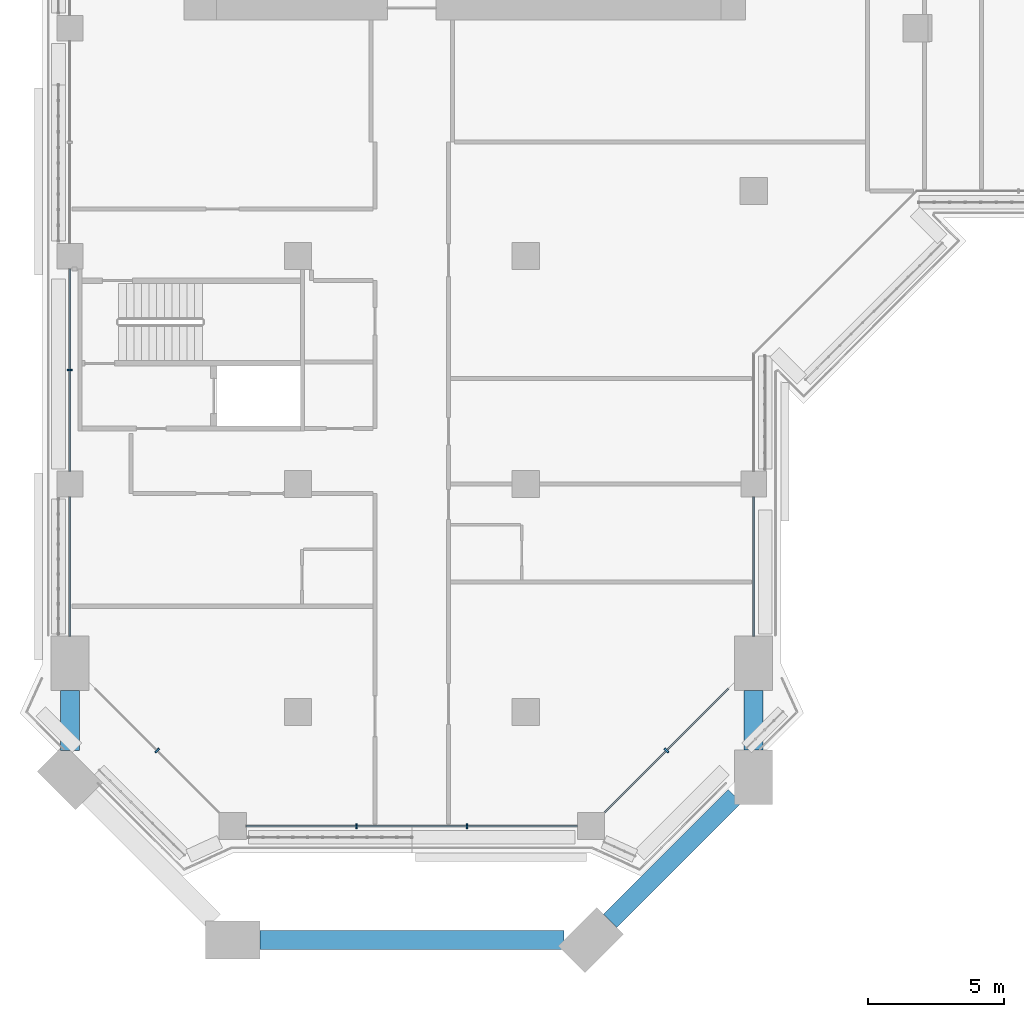
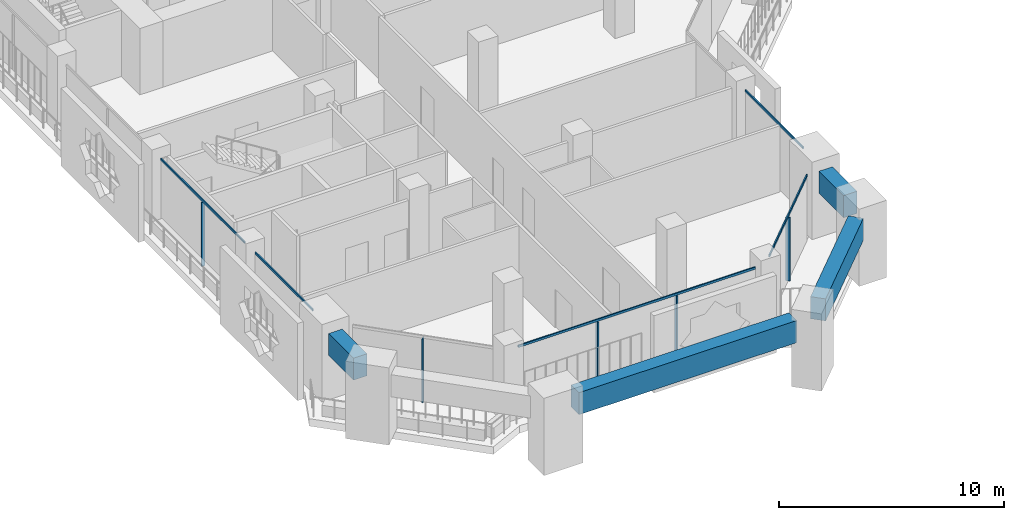
# One storey, part 2 of 23: 10 members, 4 beams, 5 elements without a shape of their own.
"""IFC4 building model written with IfcOpenShell, lengths in metres."""

from ifc_helpers import new_model, si_unit, direction, frame, origin, origin_2d, place, context, subcontext, project, spatial, rectangle, extrude, material, layer, layer_set, material_profile, profile_set, type_object, element, aggregate, save


model = new_model("IFC4")

# Units and contexts
model_context = context("Model", 3, precision=1e-05, world=origin(), true_north=direction((0.0, 1.0)))
body_context = subcontext(model_context, "Body", "Model", "MODEL_VIEW")
ifc_project = project(units=[si_unit("LENGTHUNIT", "METRE"), si_unit("AREAUNIT", "SQUARE_METRE"), si_unit("VOLUMEUNIT", "CUBIC_METRE"), si_unit("PLANEANGLEUNIT", "RADIAN"), si_unit("MASSUNIT", "GRAM", prefix="KILO")], contexts=[model_context])

# Site, building, storey
site_placement = place(None, origin())
site = spatial("IfcSite", under=ifc_project, at=site_placement, CompositionType="ELEMENT")
building_placement = place(site_placement, origin())
building = spatial("IfcBuilding", under=site, at=building_placement, Name="Kawkab Arch Medical Tower", CompositionType="ELEMENT")
storey_placement = place(building_placement, frame((0.0, 0.0, 175.199951171875)))
storey = spatial("IfcBuildingStorey", under=building, at=storey_placement, Name="L40", CompositionType="ELEMENT", Elevation=175.199951171875)

# Curtain wall, member
ifc_material_1 = material(Name="Bronze anodised aluminium curtain wall frame", Category="aluminium")
ifc_layer_1 = layer(ifc_material_1, 0.159912109375)
ifc_layer_set_1 = layer_set([ifc_layer_1], Name="Bronze anodised aluminium curtain wall frame")
curtain_wall_type_1 = type_object("IfcCurtainWallType", Name="CW1 ward curtain wall", PredefinedType="NOTDEFINED", material=ifc_layer_set_1)
placement = place(storey_placement, origin())
curtain_wall_1 = element("IfcCurtainWall", 1, at=placement, inside=storey, type_object=curtain_wall_type_1, Name="CW1 Ward curtain wall R01", PredefinedType="NOTDEFINED")
ifc_material_2 = material(Name="Bronze anodised aluminium curtain wall frame", Category="aluminium")
ifc_material_profile_1 = material_profile(ifc_material_2, rectangle(XDim=0.179931640625, YDim=0.06005859375, at=origin_2d()), Name="AL 60x180")
ifc_profile_set_1 = profile_set([ifc_material_profile_1], Name="Bronze anodised aluminium curtain wall frame")
member_type_1 = type_object("IfcMemberType", Name="CW1 mullion 60 x 180", PredefinedType="MULLION", material=ifc_profile_set_1)
member_1_placement = place(storey_placement, frame((0.0, -37.800048828125, 0.0), z_axis=(0.0, 0.0, 1.0), x_axis=(1.0, 0.0, 0.0)))
member_1 = element("IfcMember", 2, at=member_1_placement, type_object=member_type_1, Name="CW1 mullion 4.1", PredefinedType="MULLION", context=body_context, shape_type="SweptSolid", body=[
    extrude(rectangle(XDim=0.179931640625, YDim=0.06005859375, at=origin_2d()), origin(), (0.0, 0.0, 1.0), 3.47998046875),
])

# Curtain wall, members
curtain_wall_2 = element("IfcCurtainWall", 3, at=placement, inside=storey, type_object=curtain_wall_type_1, Name="CW1 Ward curtain wall R03", PredefinedType="NOTDEFINED")
member_2_placement = place(storey_placement, frame((10.566650390625, -54.60009765625, 0.0), z_axis=(0.0, 0.0, 1.0), x_axis=(0.0, 1.0, 0.0)))
member_2 = element("IfcMember", 4, at=member_2_placement, type_object=member_type_1, Name="CW1 mullion 1.1", PredefinedType="MULLION", context=body_context, shape_type="SweptSolid", body=[
    extrude(rectangle(XDim=0.179931640625, YDim=0.06005859375, at=origin_2d()), origin(), (0.0, 0.0, 1.0), 3.47998046875),
])
member_3_placement = place(storey_placement, frame((14.63330078125, -54.60009765625, 0.0), z_axis=(0.0, 0.0, 1.0), x_axis=(0.0, 1.0, 0.0)))
member_3 = element("IfcMember", 5, at=member_3_placement, type_object=member_type_1, Name="CW1 mullion 1.2", PredefinedType="MULLION", context=body_context, shape_type="SweptSolid", body=[
    extrude(rectangle(XDim=0.179931640625, YDim=0.06005859375, at=origin_2d()), origin(), (0.0, 0.0, 1.0), 3.47998046875),
])

# Member
ifc_material_3 = material(Name="Bronze anodised aluminium curtain wall frame", Category="aluminium")
ifc_material_profile_2 = material_profile(ifc_material_3, rectangle(XDim=0.06005859375, YDim=0.1201171875, at=origin_2d()), Name="AL 60x120")
ifc_profile_set_2 = profile_set([ifc_material_profile_2], Name="Bronze anodised aluminium curtain wall frame")
member_type_2 = type_object("IfcMemberType", Name="CW1 transom 120 x 60", PredefinedType="USERDEFINED", material=ifc_profile_set_2)
member_4_placement = place(storey_placement, frame((0.0, -34.074951171875, 3.5400390625), z_axis=(0.0, -1.0, 0.0), x_axis=(1.0, 0.0, 0.0)))
member_4 = element("IfcMember", 6, at=member_4_placement, type_object=member_type_2, Name="CW1 transom 4", ObjectType="TRANSOM", PredefinedType="USERDEFINED", context=body_context, shape_type="SweptSolid", body=[
    extrude(rectangle(XDim=0.06005859375, YDim=0.1201171875, at=origin_2d()), origin(), (0.0, 0.0, 1.0), 7.449951171875),
])

member_5_placement = place(storey_placement, frame((0.0, -42.47509765625, 3.5400390625), z_axis=(0.0, -1.0, 0.0), x_axis=(1.0, 0.0, 0.0)))
member_5 = element("IfcMember", 7, at=member_5_placement, type_object=member_type_2, Name="CW1 transom 5", ObjectType="TRANSOM", PredefinedType="USERDEFINED", context=body_context, shape_type="SweptSolid", body=[
    extrude(rectangle(XDim=0.06005859375, YDim=0.1201171875, at=origin_2d()), origin(), (0.0, 0.0, 1.0), 5.125),
])

aggregate(curtain_wall_1, [member_4, member_1, member_5])

member_6_placement = place(storey_placement, frame((6.5, -54.60009765625, 3.5400390625), z_axis=(1.0, 0.0, 0.0), x_axis=(0.0, 1.0, 0.0)))
member_6 = element("IfcMember", 8, at=member_6_placement, type_object=member_type_2, Name="CW1 transom 1", ObjectType="TRANSOM", PredefinedType="USERDEFINED", context=body_context, shape_type="SweptSolid", body=[
    extrude(rectangle(XDim=0.06005859375, YDim=0.1201171875, at=origin_2d()), origin(), (0.0, 0.0, 1.0), 12.199951171875),
])

aggregate(curtain_wall_2, [member_6, member_2, member_3])

# Curtain wall, member
curtain_wall_3 = element("IfcCurtainWall", 9, at=placement, inside=storey, type_object=curtain_wall_type_1, Name="CW1 Ward curtain wall R05", PredefinedType="NOTDEFINED")
member_7_placement = place(storey_placement, frame((25.199951171875, -47.60009765625, 3.5400390625), z_axis=(0.0, 1.0, 0.0), x_axis=(-1.0, 0.0, 0.0)))
member_7 = element("IfcMember", 10, at=member_7_placement, type_object=member_type_2, Name="CW1 transom 1", ObjectType="TRANSOM", PredefinedType="USERDEFINED", context=body_context, shape_type="SweptSolid", body=[
    extrude(rectangle(XDim=0.06005859375, YDim=0.1201171875, at=origin_2d()), origin(), (0.0, 0.0, 1.0), 5.125),
])
aggregate(curtain_wall_3, [member_7])

ifc_material_4 = material(Name="Bronze anodised aluminium curtain wall frame", Category="aluminium")
ifc_layer_2 = layer(ifc_material_4, 0.159912109375)
ifc_layer_set_2 = layer_set([ifc_layer_2], Name="Bronze anodised aluminium curtain wall frame")
curtain_wall_type_2 = type_object("IfcCurtainWallType", Name="CW2 chamfer curtain wall", PredefinedType="NOTDEFINED", material=ifc_layer_set_2)
curtain_wall_4 = element("IfcCurtainWall", 11, at=placement, inside=storey, type_object=curtain_wall_type_2, Name="CW2 Chamfer curtain wall R02", PredefinedType="NOTDEFINED")
ifc_material_5 = material(Name="Bronze anodised aluminium curtain wall frame", Category="aluminium")
ifc_material_profile_3 = material_profile(ifc_material_5, rectangle(XDim=0.199951171875, YDim=0.06005859375, at=origin_2d()), Name="AL 60x200")
ifc_profile_set_3 = profile_set([ifc_material_profile_3], Name="Bronze anodised aluminium curtain wall frame")
member_type_3 = type_object("IfcMemberType", Name="CW2 mullion 60 x 200", PredefinedType="MULLION", material=ifc_profile_set_3)
member_8_placement = place(storey_placement, frame((3.215087890625, -51.815185546875, 0.0), z_axis=(0.0, 0.0, 1.0), x_axis=(0.707106781187, 0.707106781187, 0.0)))
member_8 = element("IfcMember", 12, at=member_8_placement, type_object=member_type_3, Name="CW2 mullion 1.1", PredefinedType="MULLION", context=body_context, shape_type="SweptSolid", body=[
    extrude(rectangle(XDim=0.199951171875, YDim=0.06005859375, at=origin_2d()), origin(), (0.0, 0.0, 1.0), 3.4599609375),
])
aggregate(curtain_wall_4, [member_8])

# Curtain wall, members
curtain_wall_5 = element("IfcCurtainWall", 13, at=placement, inside=storey, type_object=curtain_wall_type_2, Name="CW2 Chamfer curtain wall R04", PredefinedType="NOTDEFINED")
member_9_placement = place(storey_placement, frame((21.98486328125, -51.815185546875, 0.0), z_axis=(0.0, 0.0, 1.0), x_axis=(-0.707106781187, 0.707106781187, 0.0)))
member_9 = element("IfcMember", 14, at=member_9_placement, type_object=member_type_3, Name="CW2 mullion 1.1", PredefinedType="MULLION", context=body_context, shape_type="SweptSolid", body=[
    extrude(rectangle(XDim=0.199951171875, YDim=0.06005859375, at=origin_2d()), origin(), (0.0, 0.0, 1.0), 3.4599609375),
])
ifc_material_6 = material(Name="Bronze anodised aluminium curtain wall frame", Category="aluminium")
ifc_material_profile_4 = material_profile(ifc_material_6, rectangle(XDim=0.06005859375, YDim=0.139892578125, at=origin_2d()), Name="AL 60x140")
ifc_profile_set_4 = profile_set([ifc_material_profile_4], Name="Bronze anodised aluminium curtain wall frame")
member_type_4 = type_object("IfcMemberType", Name="CW2 transom 140 x 60", PredefinedType="USERDEFINED", material=ifc_profile_set_4)
member_10_placement = place(storey_placement, frame((19.699951171875, -54.10009765625, 3.530029296875), z_axis=(0.707106781187, 0.707106781187, 0.0), x_axis=(-0.707106781187, 0.707106781187, 0.0)))
member_10 = element("IfcMember", 15, at=member_10_placement, type_object=member_type_4, Name="CW2 transom 1", ObjectType="TRANSOM", PredefinedType="USERDEFINED", context=body_context, shape_type="SweptSolid", body=[
    extrude(rectangle(XDim=0.06005859375, YDim=0.139892578125, at=origin_2d()), origin(), (0.0, 0.0, 1.0), 6.462646484375),
])
aggregate(curtain_wall_5, [member_10, member_9])

# Beams
ifc_material_7 = material(Name="Concrete C50/60", Category="concrete")
ifc_material_profile_5 = material_profile(ifc_material_7, rectangle(XDim=0.699951171875, YDim=1.199951171875, at=origin_2d()), Name="RC 700x1200")
ifc_profile_set_5 = profile_set([ifc_material_profile_5], Name="Concrete C50/60")
beam_type = type_object("IfcBeamType", Name="RC 700x1200 beam C50/60", PredefinedType="BEAM", material=ifc_profile_set_5)
beam_1_placement = place(storey_placement, frame((25.199951171875, -49.60009765625, 3.0), z_axis=(0.0, -1.0, 0.0), x_axis=(1.0, 0.0, 0.0)))
element("IfcBeam", 16, at=beam_1_placement, inside=storey, type_object=beam_type, Name="Terrace frame beam TF-L39-1-L41-01", PredefinedType="BEAM", context=body_context, shape_type="SweptSolid", body=[
    extrude(rectangle(XDim=0.699951171875, YDim=1.199951171875, at=origin_2d()), origin(), (0.0, 0.0, 1.0), 2.199951171875),
])
beam_2_placement = place(storey_placement, frame((24.5, -53.5, 3.0), z_axis=(-0.707106781187, -0.707106781187, 0.0), x_axis=(0.707106781187, -0.707106781187, 0.0)))
element("IfcBeam", 17, at=beam_2_placement, inside=storey, type_object=beam_type, Name="Terrace frame beam TF-L39-1-L41-02", PredefinedType="BEAM", context=body_context, shape_type="SweptSolid", body=[
    extrude(rectangle(XDim=0.699951171875, YDim=1.199951171875, at=origin_2d()), origin(), (0.0, 0.0, 1.0), 6.49560546875),
])
beam_3_placement = place(storey_placement, frame((18.210205078125, -58.800048828125, 3.0), z_axis=(-1.0, 0.0, 0.0), x_axis=(0.0, -1.0, 0.0)))
element("IfcBeam", 18, at=beam_3_placement, inside=storey, type_object=beam_type, Name="Terrace frame beam TF-L39-1-L41-03", PredefinedType="BEAM", context=body_context, shape_type="SweptSolid", body=[
    extrude(rectangle(XDim=0.699951171875, YDim=1.199951171875, at=origin_2d()), origin(), (0.0, 0.0, 1.0), 11.210205078125),
])
beam_4_placement = place(storey_placement, frame((0.0, -51.81005859375, 3.0), z_axis=(0.0, 1.0, 0.0), x_axis=(-1.0, 0.0, 0.0)))
element("IfcBeam", 19, at=beam_4_placement, inside=storey, type_object=beam_type, Name="Terrace frame beam TF-L39-1-L41-05", PredefinedType="BEAM", context=body_context, shape_type="SweptSolid", body=[
    extrude(rectangle(XDim=0.699951171875, YDim=1.199951171875, at=origin_2d()), origin(), (0.0, 0.0, 1.0), 2.2099609375),
])

save(model, "model.ifc")
